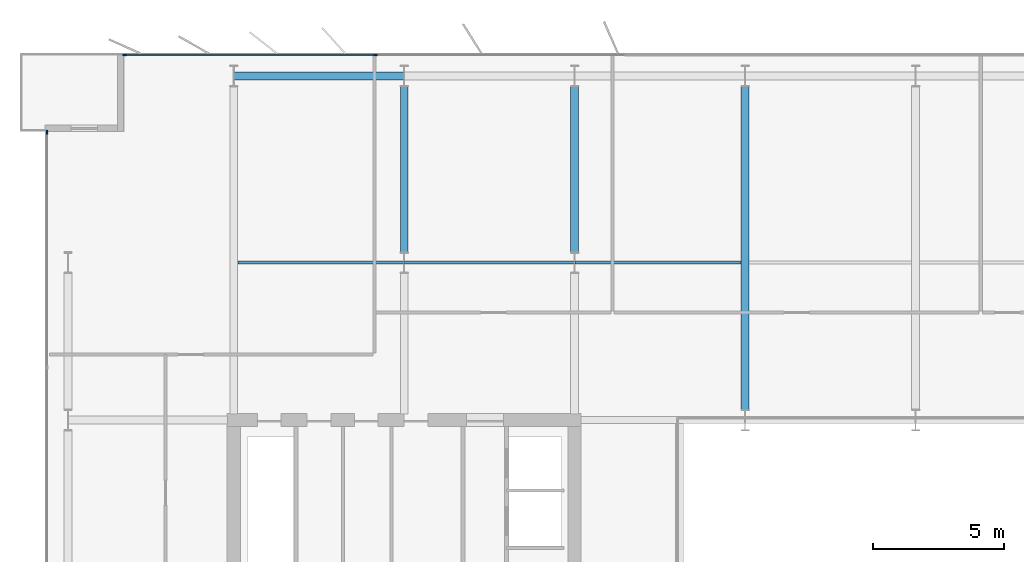
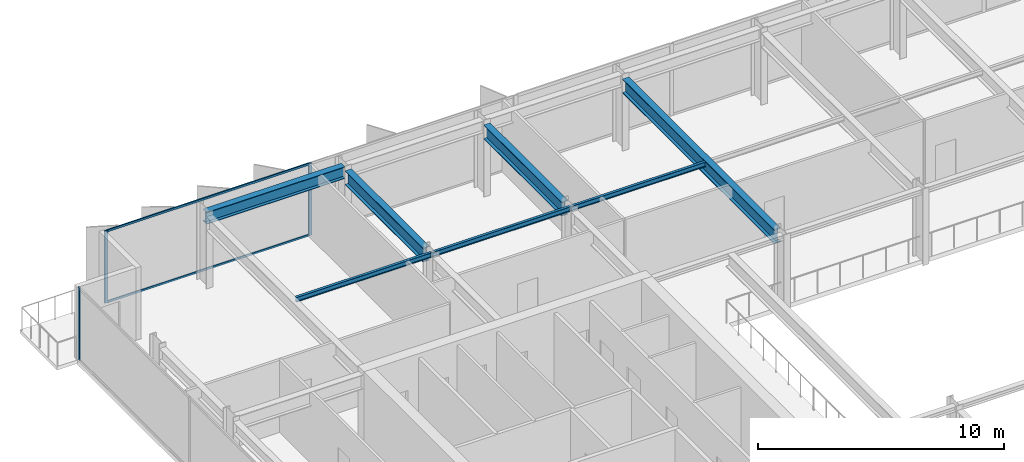
# One storey, part 10 of 23: 7 beams, 5 members, 2 elements without a shape of their own.
"""IFC4 building model written with IfcOpenShell, lengths in metres."""

import ifcopenshell
import ifcopenshell.guid

model = None  # the IFC model being written
_history = None  # IfcOwnerHistory: only IFC2X3 demands one
_inside = {}  # id of a spatial element -> (the spatial element, [elements in it])
_under = {}  # id of a project, library or spatial element -> (it, [spatial elements below it])
_declared = {}  # id of a project -> (the project, [libraries it declares])
_typed = {}  # id of a type object -> (the type object, [elements of that type])
_made_of = {}  # id of a material, layer set ... -> (it, [elements and type objects made of it])


def new_model(schema):
    """Start an empty IFC model of exactly this schema.

    Asked for "IFC4X3", IfcOpenShell would pick the latest addendum, in which some entities
    have other attributes; the version numbers below select the first issue.
    IFC2X3 requires an IfcOwnerHistory on every rooted entity: one is made here for all.
    """
    global model, _history
    if schema == "IFC4X3":
        model = ifcopenshell.file(schema_version=(4, 3, 0, 0))
    else:
        model = ifcopenshell.file(schema=schema)
    _inside.clear()
    _under.clear()
    _declared.clear()
    _typed.clear()
    _made_of.clear()
    _history = None
    if model.schema == "IFC2X3":
        org = make("IfcOrganization", Name="unknown")
        user = make(
            "IfcPersonAndOrganization",
            ThePerson=make("IfcPerson", FamilyName="unknown"),
            TheOrganization=org,
        )
        app = make(
            "IfcApplication",
            ApplicationDeveloper=org,
            Version="unknown",
            ApplicationFullName="unknown",
            ApplicationIdentifier="unknown",
        )
        _history = make(
            "IfcOwnerHistory",
            OwningUser=user,
            OwningApplication=app,
            ChangeAction="ADDED",
            CreationDate=0,
        )
    return model


def make(cls, **values):
    """One entity of the class cls with the attributes given. An attribute that is None is left unset."""
    return model.create_entity(
        cls, **{name: value for name, value in values.items() if value is not None}
    )


def rooted(cls, **values):
    """An entity with a GlobalId (a new one), such as an element, a storey or a relation."""
    return make(cls, GlobalId=ifcopenshell.guid.new(), OwnerHistory=_history, **values)


def si_unit(unit_type, name, prefix=None):
    """IfcSIUnit, for example si_unit("LENGTHUNIT", "METRE", prefix="MILLI")."""
    return make("IfcSIUnit", UnitType=unit_type, Prefix=prefix, Name=name)


def assignment(units):
    """IfcUnitAssignment: the units of a project."""
    return None if units is None else make("IfcUnitAssignment", Units=units)


def point(xyz):
    """IfcCartesianPoint."""
    return None if xyz is None else make("IfcCartesianPoint", Coordinates=xyz)


def direction(xyz):
    """IfcDirection."""
    return None if xyz is None else make("IfcDirection", DirectionRatios=xyz)


def frame(location, z_axis=None, x_axis=None):
    """IfcAxis2Placement3D, a coordinate frame: its origin and axes. An axis left out is left unset."""
    return make(
        "IfcAxis2Placement3D",
        Location=point(location),
        Axis=direction(z_axis),
        RefDirection=direction(x_axis),
    )


def frame_2d(location, x_axis=None):
    """IfcAxis2Placement2D, a coordinate frame in the plane: its origin and x axis."""
    return make(
        "IfcAxis2Placement2D", Location=point(location), RefDirection=direction(x_axis)
    )


def origin():
    """The frame at (0, 0, 0) with its axes left unset."""
    return frame((0.0, 0.0, 0.0))


def origin_2d():
    """The frame at (0, 0) in the plane with its x axis left unset."""
    return frame_2d((0.0, 0.0))


def place(relative_to, where):
    """IfcLocalPlacement: puts the frame where relative to a parent placement (None: the world)."""
    return make(
        "IfcLocalPlacement", PlacementRelTo=relative_to, RelativePlacement=where
    )


def context(
    kind, dimensions, precision=None, world=None, true_north=None, identifier=None
):
    """IfcGeometricRepresentationContext, for example the 3D "Model" context."""
    return make(
        "IfcGeometricRepresentationContext",
        ContextIdentifier=identifier,
        ContextType=kind,
        CoordinateSpaceDimension=dimensions,
        Precision=precision,
        WorldCoordinateSystem=world,
        TrueNorth=true_north,
    )


def subcontext(parent, identifier, kind, view, scale=None):
    """IfcGeometricRepresentationSubContext, for example "Body" below "Model"."""
    return make(
        "IfcGeometricRepresentationSubContext",
        ContextIdentifier=identifier,
        ContextType=kind,
        ParentContext=parent,
        TargetScale=scale,
        TargetView=view,
    )


def project(units=None, contexts=None):
    """IfcProject with its units and contexts."""
    return rooted(
        "IfcProject",
        Name="project",
        RepresentationContexts=contexts,
        UnitsInContext=assignment(units),
    )


def spatial(cls, under=None, at=None, **own):
    """A site, building, storey or space (cls), placed at a placement, below another one or the project."""
    s = rooted(cls, ObjectPlacement=at, **own)
    if under is not None:
        _under.setdefault(under.id(), (under, []))[1].append(s)
    return s


def profile(cls, at=None, kind="AREA", **sizes):
    """A parametric profile (cls). Its sizes go by their IFC names, for example OverallWidth=200.0."""
    return make(cls, ProfileType=kind, Position=at, **sizes)


def rectangle(**sizes):
    """IfcRectangleProfileDef."""
    return profile("IfcRectangleProfileDef", **sizes)


def i_section(**sizes):
    """IfcIShapeProfileDef."""
    return profile("IfcIShapeProfileDef", **sizes)


def extrude(swept, where, along, depth):
    """IfcExtrudedAreaSolid: the profile swept, set in the frame where, extruded along a direction by depth."""
    return make(
        "IfcExtrudedAreaSolid",
        SweptArea=swept,
        Position=where,
        ExtrudedDirection=direction(along),
        Depth=depth,
    )


def shape(context_of_items, identifier, shape_type, items):
    """IfcShapeRepresentation: the items that make up one representation, for example the "Body"."""
    return make(
        "IfcShapeRepresentation",
        ContextOfItems=context_of_items,
        RepresentationIdentifier=identifier,
        RepresentationType=shape_type,
        Items=items,
    )


def material(Name=None, Category=None):
    """IfcMaterial."""
    return make("IfcMaterial", Name=Name, Category=Category)


def layer(
    of_material, thickness, ventilated=None, Name=None, Category=None, Priority=None
):
    """IfcMaterialLayer: one layer of a wall or slab, of a material (None: an air gap)."""
    return make(
        "IfcMaterialLayer",
        Material=of_material,
        LayerThickness=thickness,
        IsVentilated=ventilated,
        Name=Name,
        Category=Category,
        Priority=Priority,
    )


def layer_set(layers, Name=None):
    """IfcMaterialLayerSet."""
    return make("IfcMaterialLayerSet", MaterialLayers=layers, LayerSetName=Name)


def material_profile(
    of_material, cross_section, Name=None, Category=None, Priority=None
):
    """IfcMaterialProfile: a cross section and its material."""
    return make(
        "IfcMaterialProfile",
        Name=Name,
        Material=of_material,
        Profile=cross_section,
        Priority=Priority,
        Category=Category,
    )


def profile_set(profiles, Name=None, composite=None):
    """IfcMaterialProfileSet."""
    return make(
        "IfcMaterialProfileSet",
        Name=Name,
        MaterialProfiles=profiles,
        CompositeProfile=composite,
    )


def made_of(thing, what):
    """Note that an element or type object is made of a material, layer set ...; save() writes the relation."""
    if what is not None:
        _made_of.setdefault(what.id(), (what, []))[1].append(thing)
    return thing


def type_object(cls, material=None, **own):
    """A type object (cls), such as IfcWallType, which elements share."""
    return made_of(rooted(cls, **own), material)


def element(
    cls,
    number,
    at=None,
    inside=None,
    cuts=None,
    type_object=None,
    material=None,
    context=None,
    identifier="Body",
    shape_type=None,
    held_by="IfcProductDefinitionShape",
    body=None,
    shapes=None,
    **own,
):
    """One element of the class cls, such as IfcWall. Its Tag is "e" and its number.

    at: its placement. inside: the storey or other place that contains it. cuts: it is an
    opening in that element (IfcRelVoidsElement). A single representation is given by context,
    identifier, shape_type and body (its items); several are given by shapes. held_by: the class
    of the entity that holds the representations. save() writes the other relations.
    """
    e = rooted(cls, Tag="e%d" % number, ObjectPlacement=at, **own)
    if body is not None:
        shapes = [shape(context, identifier, shape_type, body)]
    if shapes is not None:
        e.Representation = make(held_by, Representations=shapes)
    if inside is not None:
        _inside.setdefault(inside.id(), (inside, []))[1].append(e)
    if cuts is not None:
        rooted(
            "IfcRelVoidsElement", RelatingBuildingElement=cuts, RelatedOpeningElement=e
        )
    if type_object is not None:
        _typed.setdefault(type_object.id(), (type_object, []))[1].append(e)
    return made_of(e, material)


def aggregate(whole, parts):
    """IfcRelAggregates: a whole, such as a stair, and the parts it consists of."""
    return rooted("IfcRelAggregates", RelatingObject=whole, RelatedObjects=parts)


def save(model, path):
    """Write the relations noted so far, then the file.

    IfcRelAggregates (storeys below a building ...), IfcRelContainedInSpatialStructure (elements
    in a storey), IfcRelDefinesByType, IfcRelAssociatesMaterial and IfcRelDeclares: one each for
    every whole, place, type object, material and project.
    """
    for whole, parts in _under.values():
        aggregate(whole, parts)
    for where, things in _inside.values():
        rooted(
            "IfcRelContainedInSpatialStructure",
            RelatedElements=things,
            RelatingStructure=where,
        )
    for kind, things in _typed.values():
        rooted("IfcRelDefinesByType", RelatedObjects=things, RelatingType=kind)
    for what, things in _made_of.values():
        rooted("IfcRelAssociatesMaterial", RelatedObjects=things, RelatingMaterial=what)
    for by, libraries in _declared.values():
        rooted("IfcRelDeclares", RelatingContext=by, RelatedDefinitions=libraries)
    model.write(path)


model = new_model("IFC4")

# Units and contexts
model_context = context("Model", 3, precision=1e-05, world=origin(), true_north=direction((0.0, 1.0)))
body_context = subcontext(model_context, "Body", "Model", "MODEL_VIEW")
ifc_project = project(units=[si_unit("LENGTHUNIT", "METRE"), si_unit("AREAUNIT", "SQUARE_METRE"), si_unit("VOLUMEUNIT", "CUBIC_METRE"), si_unit("PLANEANGLEUNIT", "RADIAN"), si_unit("MASSUNIT", "GRAM", prefix="KILO")], contexts=[model_context])

# Site, building, storey
site_placement = place(None, origin())
site = spatial("IfcSite", under=ifc_project, at=site_placement, CompositionType="ELEMENT")
building_placement = place(site_placement, origin())
building = spatial("IfcBuilding", under=site, at=building_placement, Name="Putna Gate Headquarters", CompositionType="ELEMENT")
storey_placement = place(building_placement, frame((0.0, 0.0, 217.60009765625)))
storey = spatial("IfcBuildingStorey", under=building, at=storey_placement, Name="L54", CompositionType="ELEMENT", Elevation=217.60009765625)

# Beams
ifc_material_1 = material(Name="Steel S355J2", Category="steel")
ifc_material_profile_1 = material_profile(ifc_material_1, i_section(OverallWidth=0.300048828125, OverallDepth=0.699951171875, WebThickness=0.01708984375, FlangeThickness=0.031982421875, at=origin_2d()), Name="Steel S355J2")
ifc_profile_set_1 = profile_set([ifc_material_profile_1], Name="Steel S355J2")
beam_type_1 = type_object("IfcBeamType", Name="BM-GIRD-B-HEB700", PredefinedType="USERDEFINED", material=ifc_profile_set_1)
for number, where, z_axis, x_axis, name in (
    (1, (19.5, 39.39501953125, 3.22998046875), (0.0, 1.0, 0.0), (-1.0, 0.0, 0.0), "L54 North Primary Girder X19-2"),
    (2, (26.0, 39.39501953125, 3.22998046875), (0.0, 1.0, 0.0), (-1.0, 0.0, 0.0), "L54 North Primary Girder X26-2"),
):
    element("IfcBeam", number, at=place(storey_placement, frame(where, z_axis=z_axis, x_axis=x_axis)), inside=storey, type_object=beam_type_1, Name=name, ObjectType="GIRDER", PredefinedType="USERDEFINED", context=body_context, shape_type="SweptSolid", body=[
        extrude(i_section(OverallWidth=0.300048828125, OverallDepth=0.699951171875, WebThickness=0.01708984375, FlangeThickness=0.031982421875, at=origin_2d()), origin(), (0.0, 0.0, 1.0), 6.330078125),
    ])
beam_1_placement = place(storey_placement, frame((32.5, 33.39501953125, 3.22998046875), z_axis=(0.0, 1.0, 0.0), x_axis=(-1.0, 0.0, 0.0)))
element("IfcBeam", 3, at=beam_1_placement, inside=storey, type_object=beam_type_1, Name="L54 North Primary Girder X32", ObjectType="GIRDER", PredefinedType="USERDEFINED", context=body_context, shape_type="SweptSolid", body=[
    extrude(i_section(OverallWidth=0.300048828125, OverallDepth=0.699951171875, WebThickness=0.01708984375, FlangeThickness=0.031982421875, at=origin_2d()), origin(), (0.0, 0.0, 1.0), 12.330078125),
])
ifc_material_profile_2 = material_profile(ifc_material_1, i_section(OverallWidth=0.1201171875, OverallDepth=0.239990234375, WebThickness=0.006103515625, FlangeThickness=0.009765625, at=origin_2d()), Name="Steel S355J2")
ifc_profile_set_2 = profile_set([ifc_material_profile_2], Name="Steel S355J2")
beam_type_2 = type_object("IfcBeamType", Name="BM-SEC-Z4-IPE240", PredefinedType="JOIST", material=ifc_profile_set_2)
beam_2_placement = place(storey_placement, frame((13.154052734375, 39.0, 3.4599609375), z_axis=(1.0, 0.0, 0.0), x_axis=(0.0, 1.0, 0.0)))
element("IfcBeam", 4, at=beam_2_placement, inside=storey, type_object=beam_type_2, Name="L54 North Secondary Beam 1", PredefinedType="JOIST", context=body_context, shape_type="SweptSolid", body=[
    extrude(i_section(OverallWidth=0.1201171875, OverallDepth=0.239990234375, WebThickness=0.006103515625, FlangeThickness=0.009765625, at=origin_2d()), origin(), (0.0, 0.0, 1.0), 6.33984375),
])
beam_3_placement = place(storey_placement, frame((19.506103515625, 39.0, 3.4599609375), z_axis=(1.0, 0.0, 0.0), x_axis=(0.0, 1.0, 0.0)))
element("IfcBeam", 5, at=beam_3_placement, inside=storey, type_object=beam_type_2, Name="L54 North Secondary Beam 2", PredefinedType="JOIST", context=body_context, shape_type="SweptSolid", body=[
    extrude(i_section(OverallWidth=0.1201171875, OverallDepth=0.239990234375, WebThickness=0.006103515625, FlangeThickness=0.009765625, at=origin_2d()), origin(), (0.0, 0.0, 1.0), 6.48779296875),
])
beam_4_placement = place(storey_placement, frame((26.006103515625, 39.0, 3.4599609375), z_axis=(1.0, 0.0, 0.0), x_axis=(0.0, 1.0, 0.0)))
element("IfcBeam", 6, at=beam_4_placement, inside=storey, type_object=beam_type_2, Name="L54 North Secondary Beam 3", PredefinedType="JOIST", context=body_context, shape_type="SweptSolid", body=[
    extrude(i_section(OverallWidth=0.1201171875, OverallDepth=0.239990234375, WebThickness=0.006103515625, FlangeThickness=0.009765625, at=origin_2d()), origin(), (0.0, 0.0, 1.0), 6.33984375),
])
ifc_material_profile_3 = material_profile(ifc_material_1, i_section(OverallWidth=0.300048828125, OverallDepth=0.590087890625, WebThickness=0.012939453125, FlangeThickness=0.02490234375, at=origin_2d()), Name="Steel S355J2")
ifc_profile_set_3 = profile_set([ifc_material_profile_3], Name="Steel S355J2")
beam_type_3 = type_object("IfcBeamType", Name="BM-SPAN-Z4-HEA600", PredefinedType="SPANDREL", material=ifc_profile_set_3)
beam_5_placement = place(storey_placement, frame((13.006103515625, 46.1201171875, 3.284912109375), z_axis=(1.0, 0.0, 0.0), x_axis=(0.0, 1.0, 0.0)))
element("IfcBeam", 7, at=beam_5_placement, inside=storey, type_object=beam_type_3, Name="L54 N Perimeter Spandrel 1", PredefinedType="SPANDREL", context=body_context, shape_type="SweptSolid", body=[
    extrude(i_section(OverallWidth=0.300048828125, OverallDepth=0.590087890625, WebThickness=0.012939453125, FlangeThickness=0.02490234375, at=origin_2d()), origin(), (0.0, 0.0, 1.0), 6.48779296875),
])

# Curtain wall, members
ifc_material_2 = material(Name="Anodised bronze aluminium curtain wall", Category="aluminium")
ifc_layer = layer(ifc_material_2, 0.139892578125)
ifc_layer_set = layer_set([ifc_layer], Name="Anodised bronze aluminium curtain wall")
curtain_wall_type = type_object("IfcCurtainWallType", Name="CW-SYS-Z4", PredefinedType="USERDEFINED", material=ifc_layer_set)
curtain_wall_1_placement = place(storey_placement, origin())
curtain_wall_1 = element("IfcCurtainWall", 8, at=curtain_wall_1_placement, inside=storey, type_object=curtain_wall_type, Name="L54 North West Curtain Wall", ObjectType="STICK CURTAIN WALL", PredefinedType="USERDEFINED")
ifc_material_3 = material(Name="Anodised bronze aluminium EN AW-6060", Category="aluminium")
ifc_material_profile_4 = material_profile(ifc_material_3, rectangle(XDim=0.06005859375, YDim=0.139892578125, at=origin_2d()), Name="Anodised bronze aluminium EN AW-6060")
ifc_profile_set_4 = profile_set([ifc_material_profile_4], Name="Anodised bronze aluminium EN AW-6060")
member_type_1 = type_object("IfcMemberType", Name="MULL-CWM-4", PredefinedType="MULLION", material=ifc_profile_set_4)
member_1_placement = place(storey_placement, frame((8.830078125, 46.919921875, 0.0), z_axis=(0.0, 0.0, 1.0), x_axis=(0.0, 1.0, 0.0)))
member_1 = element("IfcMember", 9, at=member_1_placement, type_object=member_type_1, Name="CWS-4 mullion 1", PredefinedType="MULLION", context=body_context, shape_type="SweptSolid", body=[
    extrude(rectangle(XDim=0.06005859375, YDim=0.139892578125, at=origin_2d()), origin(), (0.0, 0.0, 1.0), 3.579833984375),
])
member_2_placement = place(storey_placement, frame((18.39990234375, 46.919921875, 0.0), z_axis=(0.0, 0.0, 1.0), x_axis=(0.0, 1.0, 0.0)))
member_2 = element("IfcMember", 10, at=member_2_placement, type_object=member_type_1, Name="CWS-4 mullion 2", PredefinedType="MULLION", context=body_context, shape_type="SweptSolid", body=[
    extrude(rectangle(XDim=0.06005859375, YDim=0.139892578125, at=origin_2d()), origin(), (0.0, 0.0, 1.0), 3.579833984375),
])

# Curtain wall, member
curtain_wall_2_placement = place(storey_placement, origin())
curtain_wall_2 = element("IfcCurtainWall", 11, at=curtain_wall_2_placement, inside=storey, type_object=curtain_wall_type, Name="L54 West Curtain Wall", ObjectType="STICK CURTAIN WALL", PredefinedType="USERDEFINED")
member_3_placement = place(storey_placement, frame((5.8798828125, 43.969970703125, 0.0), z_axis=(0.0, 0.0, 1.0), x_axis=(-1.0, 0.0, 0.0)))
member_3 = element("IfcMember", 12, at=member_3_placement, type_object=member_type_1, Name="CWS-4 mullion 5", PredefinedType="MULLION", context=body_context, shape_type="SweptSolid", body=[
    extrude(rectangle(XDim=0.06005859375, YDim=0.139892578125, at=origin_2d()), origin(), (0.0, 0.0, 1.0), 3.579833984375),
])
aggregate(curtain_wall_2, [member_3])

# Member
ifc_material_profile_5 = material_profile(ifc_material_3, rectangle(XDim=0.06005859375, YDim=0.10009765625, at=origin_2d()), Name="Anodised bronze aluminium EN AW-6060")
ifc_profile_set_5 = profile_set([ifc_material_profile_5], Name="Anodised bronze aluminium EN AW-6060")
member_type_2 = type_object("IfcMemberType", Name="TRAN-CWT-4", PredefinedType="USERDEFINED", material=ifc_profile_set_5)
member_4_placement = place(storey_placement, frame((8.860107421875, 46.919921875, 0.02978515625), z_axis=(1.0, 0.0, 0.0), x_axis=(0.0, 1.0, 0.0)))
member_4 = element("IfcMember", 13, at=member_4_placement, type_object=member_type_2, Name="CWS-4 transom 1.1", ObjectType="TRANSOM", PredefinedType="USERDEFINED", context=body_context, shape_type="SweptSolid", body=[
    extrude(rectangle(XDim=0.06005859375, YDim=0.10009765625, at=origin_2d()), origin(), (0.0, 0.0, 1.0), 9.510009765625),
])

member_5_placement = place(storey_placement, frame((8.860107421875, 46.919921875, 3.5498046875), z_axis=(1.0, 0.0, 0.0), x_axis=(0.0, 1.0, 0.0)))
member_5 = element("IfcMember", 14, at=member_5_placement, type_object=member_type_2, Name="CWS-4 transom 1.2", ObjectType="TRANSOM", PredefinedType="USERDEFINED", context=body_context, shape_type="SweptSolid", body=[
    extrude(rectangle(XDim=0.06005859375, YDim=0.10009765625, at=origin_2d()), origin(), (0.0, 0.0, 1.0), 9.510009765625),
])

aggregate(curtain_wall_1, [member_1, member_2, member_4, member_5])

save(model, "model.ifc")
